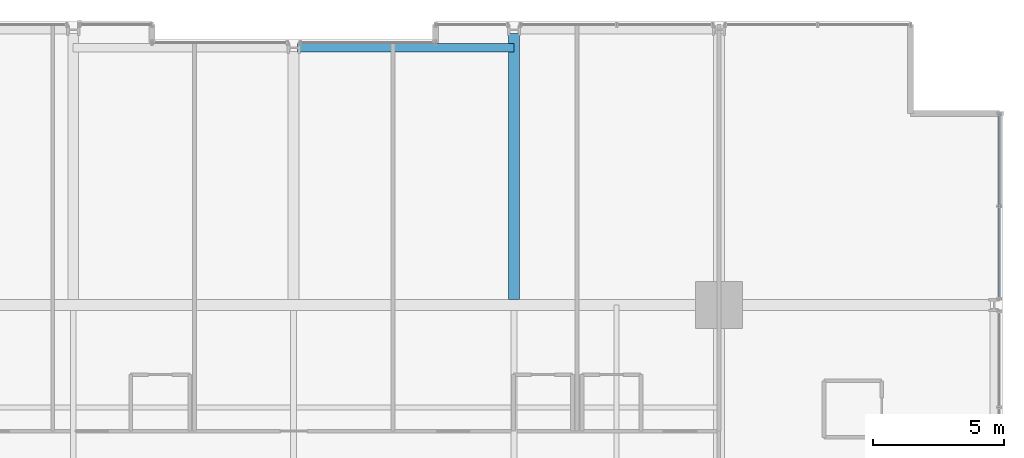
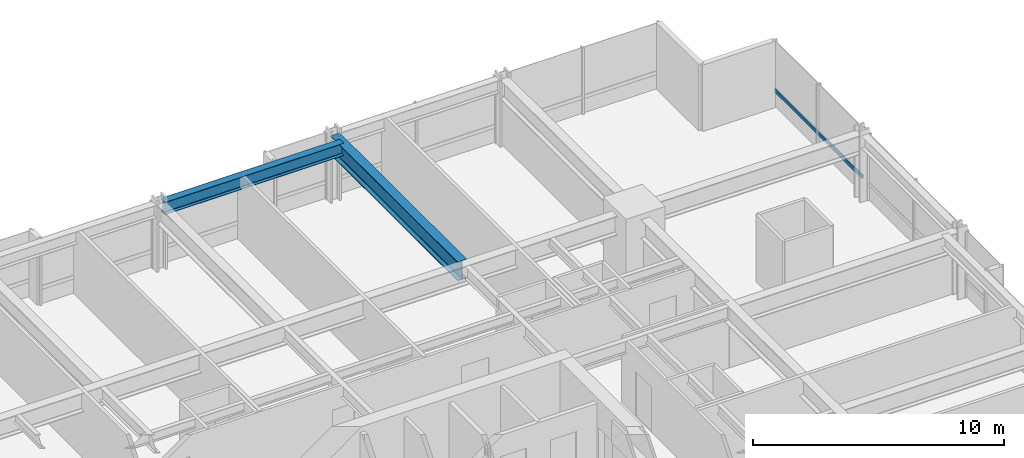
# One storey, part 26 of 39: 2 beams, 1 member, 1 element without a shape of its own.
"""IFC4 building model written with IfcOpenShell, lengths in metres."""

from ifc_helpers import new_model, si_unit, direction, frame, origin, origin_2d, place, context, subcontext, project, spatial, hollow_rectangle, i_section, extrude, material, layer, layer_set, material_profile, profile_set, type_object, element, aggregate, save


model = new_model("IFC4")

# Units and contexts
model_context = context("Model", 3, precision=1e-05, world=origin(), true_north=direction((0.0, 1.0)))
body_context = subcontext(model_context, "Body", "Model", "MODEL_VIEW")
ifc_project = project(units=[si_unit("LENGTHUNIT", "METRE"), si_unit("AREAUNIT", "SQUARE_METRE"), si_unit("VOLUMEUNIT", "CUBIC_METRE"), si_unit("PLANEANGLEUNIT", "RADIAN"), si_unit("MASSUNIT", "GRAM", prefix="KILO")], contexts=[model_context])

# Site, building, storey
site_placement = place(None, origin())
site = spatial("IfcSite", under=ifc_project, at=site_placement, CompositionType="ELEMENT")
building_placement = place(site_placement, origin())
building = spatial("IfcBuilding", under=site, at=building_placement, Name="Drelvath Grand Hotel", CompositionType="ELEMENT")
storey_placement = place(building_placement, frame((0.0, 0.0, 54.199951171875)))
storey = spatial("IfcBuildingStorey", under=building, at=storey_placement, Name="L12", CompositionType="ELEMENT", Elevation=54.199951171875)

# Curtain wall, member
ifc_material_1 = material(Name="Warm Bronze Anodised Aluminium Frame", Category="aluminium")
ifc_layer = layer(ifc_material_1, 0.199951171875)
ifc_layer_set = layer_set([ifc_layer], Name="Warm Bronze Anodised Aluminium Frame")
curtain_wall_type = type_object("IfcCurtainWallType", Name="Stick Curtain Wall CW-02 Warm Bronze Low-Rise", PredefinedType="NOTDEFINED", material=ifc_layer_set)
curtain_wall_placement = place(storey_placement, origin())
curtain_wall = element("IfcCurtainWall", 1, at=curtain_wall_placement, inside=storey, type_object=curtain_wall_type, Name="L12 CW-02 Curtain Wall CW02-L12-EN3", PredefinedType="NOTDEFINED")
ifc_material_profile_1 = material_profile(ifc_material_1, hollow_rectangle(XDim=0.074951171875, YDim=0.179931640625, WallThickness=0.0048828125, at=origin_2d()), Name="HSS180X75X5")
ifc_profile_set_1 = profile_set([ifc_material_profile_1], Name="Warm Bronze Anodised Aluminium Frame")
member_type = type_object("IfcMemberType", Name="Curtain Wall Horizontal Transom CW-02 HSS180X75X5", PredefinedType="USERDEFINED", material=ifc_profile_set_1)
member_placement = place(storey_placement, frame((26.8798828125, 50.4599609375, 0.81005859375), z_axis=(0.0, -1.0, 0.0), x_axis=(1.0, 0.0, 0.0)))
member = element("IfcMember", 2, at=member_placement, type_object=member_type, Name="CW02-L12-EN3 Sill Transom", ObjectType="TRANSOM", PredefinedType="USERDEFINED", context=body_context, shape_type="SweptSolid", body=[
    extrude(hollow_rectangle(XDim=0.074951171875, YDim=0.179931640625, WallThickness=0.0048828125, at=origin_2d()), origin(), (0.0, 0.0, 1.0), 6.97900390625),
])
aggregate(curtain_wall, [member])

# Beams
ifc_material_2 = material(Name="Steel ASTM A992 Gr 50", Category="steel")
ifc_material_profile_2 = material_profile(ifc_material_2, i_section(OverallWidth=0.323974609375, OverallDepth=0.611083984375, WebThickness=0.0126953125, FlangeThickness=0.01904296875, FilletRadius=0.02197265625, at=origin_2d()), Name="W24X104")
ifc_profile_set_2 = profile_set([ifc_material_profile_2], Name="Steel ASTM A992 Gr 50")
beam_type_1 = type_object("IfcBeamType", Name="Perimeter Spandrel Beam W24X104", PredefinedType="SPANDREL", material=ifc_profile_set_2)
beam_1_placement = place(storey_placement, frame((0.139892578125, 53.0, 2.9345703125), z_axis=(1.0, 0.0, 0.0), x_axis=(0.0, 1.0, 0.0)))
element("IfcBeam", 3, at=beam_1_placement, inside=storey, type_object=beam_type_1, Name="L12 Spandrel North Mid E", PredefinedType="SPANDREL", context=body_context, shape_type="SweptSolid", body=[
    extrude(i_section(OverallWidth=0.323974609375, OverallDepth=0.611083984375, WebThickness=0.0126953125, FlangeThickness=0.01904296875, FilletRadius=0.02197265625, at=origin_2d()), origin(), (0.0, 0.0, 1.0), 8.260009765625),
])
ifc_material_profile_3 = material_profile(ifc_material_2, i_section(OverallWidth=0.418212890625, OverallDepth=0.926513671875, WebThickness=0.019287109375, FlangeThickness=0.031982421875, FilletRadius=0.028076171875, at=origin_2d()), Name="W36X231")
ifc_profile_set_3 = profile_set([ifc_material_profile_3], Name="Steel ASTM A992 Gr 50")
beam_type_2 = type_object("IfcBeamType", Name="Primary Floor Girder W36X231", PredefinedType="BEAM", material=ifc_profile_set_3)
beam_2_placement = place(storey_placement, frame((8.39990234375, 43.4091796875, 2.77685546875), z_axis=(0.0, 1.0, 0.0), x_axis=(-1.0, 0.0, 0.0)))
element("IfcBeam", 4, at=beam_2_placement, inside=storey, type_object=beam_type_2, Name="L12 North Wing Girder 6", PredefinedType="BEAM", context=body_context, shape_type="SweptSolid", body=[
    extrude(i_section(OverallWidth=0.418212890625, OverallDepth=0.926513671875, WebThickness=0.019287109375, FlangeThickness=0.031982421875, FilletRadius=0.028076171875, at=origin_2d()), origin(), (0.0, 0.0, 1.0), 10.130859375),
])

save(model, "model.ifc")
